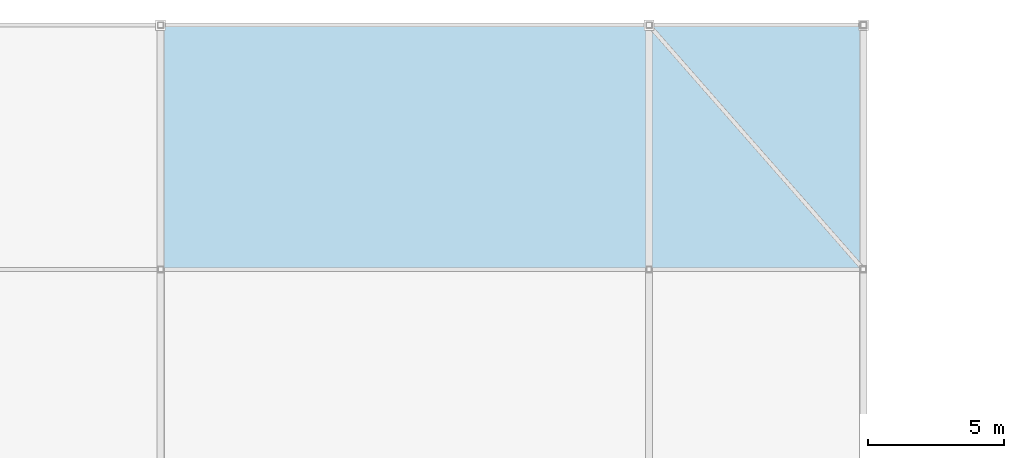
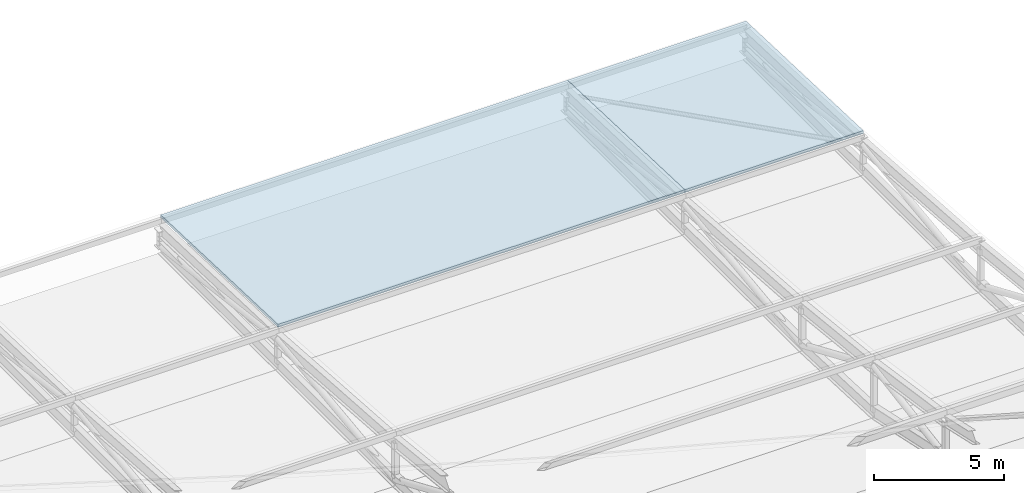
# One storey, part 91 of 114: 2 slabs.
"""IFC4 building model written with IfcOpenShell, lengths in metres."""

from ifc_helpers import new_model, si_unit, direction, frame, origin, place, context, subcontext, project, spatial, polyline, outline, extrude, material, layer, layer_set, type_object, element, save


model = new_model("IFC4")

# Units and contexts
model_context = context("Model", 3, precision=1e-05, world=origin(), true_north=direction((0.0, 1.0)))
body_context = subcontext(model_context, "Body", "Model", "MODEL_VIEW")
ifc_project = project(units=[si_unit("LENGTHUNIT", "METRE"), si_unit("AREAUNIT", "SQUARE_METRE"), si_unit("VOLUMEUNIT", "CUBIC_METRE"), si_unit("PLANEANGLEUNIT", "RADIAN"), si_unit("MASSUNIT", "GRAM", prefix="KILO"), si_unit("THERMODYNAMICTEMPERATUREUNIT", "KELVIN"), si_unit("POWERUNIT", "WATT")], contexts=[model_context])

# Site, building, storey
site_placement = place(None, origin())
site = spatial("IfcSite", under=ifc_project, at=site_placement, CompositionType="ELEMENT")
building_placement = place(site_placement, origin())
building = spatial("IfcBuilding", under=site, at=building_placement, Name="Sindhuravela Promenade Stadium", CompositionType="ELEMENT")
storey_placement = place(building_placement, frame((0.0, 0.0, 24.0)))
storey = spatial("IfcBuildingStorey", under=building, at=storey_placement, Name="L05", CompositionType="ELEMENT", Elevation=24.0)

# Slabs
ifc_material = material(Name="Concrete M40", Category="concrete")
ifc_layer = layer(ifc_material, 0.1298828125)
ifc_layer_set = layer_set([ifc_layer], Name="Concrete M40")
slab_type = type_object("IfcSlabType", Name="SL-CAN-130", PredefinedType="ROOF", material=ifc_layer_set)
slab_1_placement = place(storey_placement, frame((135.0, 153.0, 1.465087890625), z_axis=(0.0, 0.03629876236799083, 0.9993409827734235), x_axis=(1.0, 0.0, 0.0)))
element("IfcSlab", 1, at=slab_1_placement, inside=storey, type_object=slab_type, Name="Stand canopy roof slab N bay 7.1", PredefinedType="ROOF", context=body_context, shape_type="SweptSolid", body=[
    extrude(outline(polyline([(0.0, 0.0), (0.0, -9.005935066350151), (18.0, -9.005935066350151), (18.0, 0.0), (0.0, 0.0)])), origin(), (0.0, 0.0, -1.0), 0.1298828125),
])
slab_2_placement = place(storey_placement, frame((153.0, 153.0, 1.465087890625), z_axis=(0.0, 0.03629876236799083, 0.9993409827734235), x_axis=(1.0, 0.0, 0.0)))
element("IfcSlab", 2, at=slab_2_placement, inside=storey, type_object=slab_type, Name="Stand canopy roof slab N bay 8.1", PredefinedType="ROOF", context=body_context, shape_type="SweptSolid", body=[
    extrude(outline(polyline([(0.0, 0.0), (0.0, -9.005935066350151), (7.89990234375, -9.005935066350151), (7.89990234375, 0.0), (0.0, 0.0)])), origin(), (0.0, 0.0, -1.0), 0.1298828125),
])

save(model, "model.ifc")
